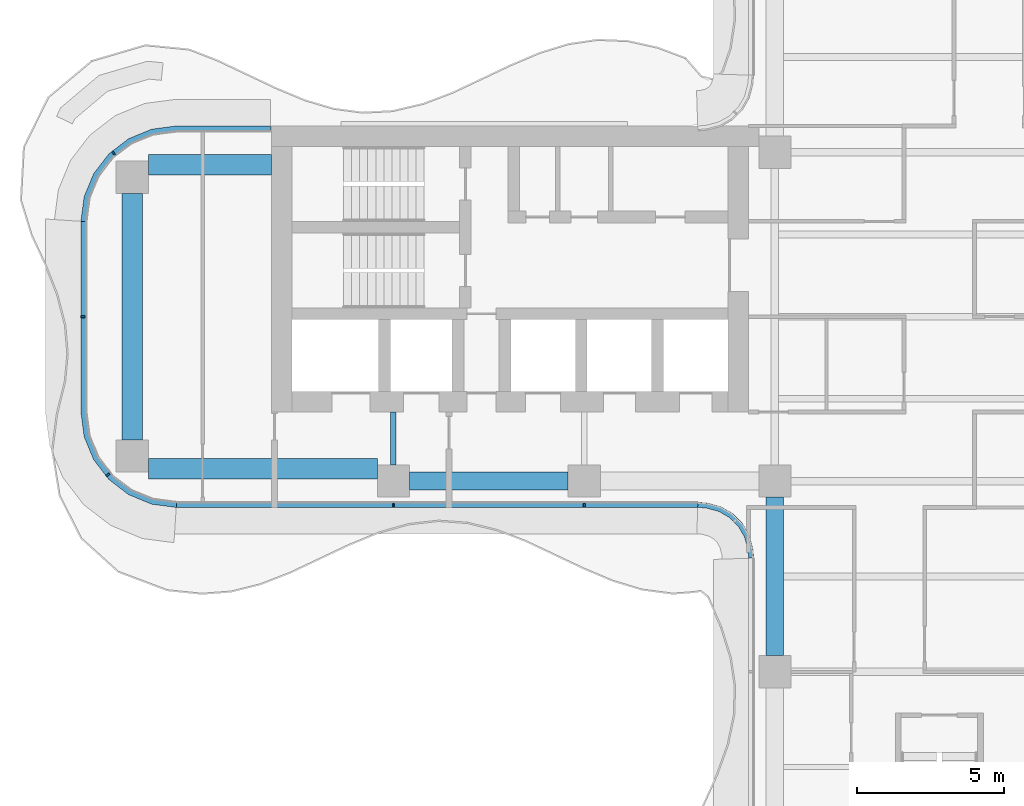
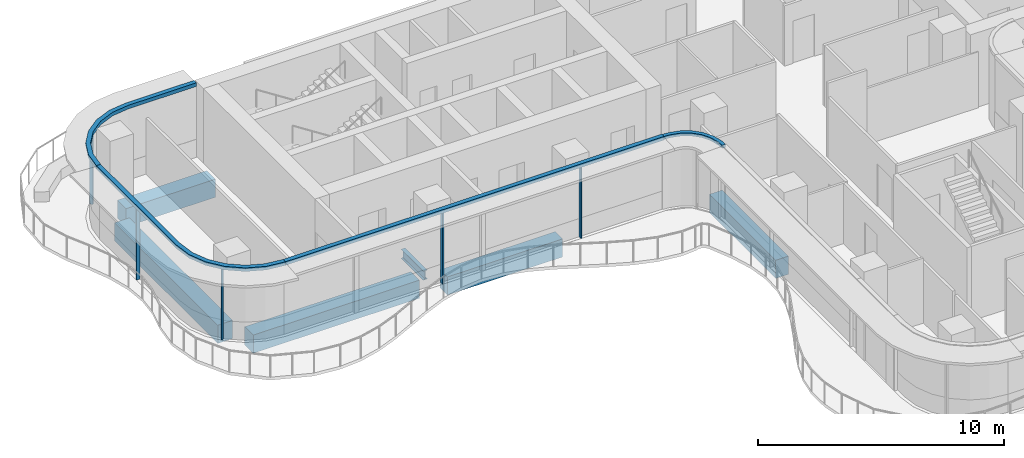
# One storey, part 3 of 17: 9 members, 6 beams, 4 elements without a shape of their own.
"""IFC4 building model written with IfcOpenShell, lengths in metres."""

import ifcopenshell
import ifcopenshell.guid

model = None  # the IFC model being written
_history = None  # IfcOwnerHistory: only IFC2X3 demands one
_inside = {}  # id of a spatial element -> (the spatial element, [elements in it])
_under = {}  # id of a project, library or spatial element -> (it, [spatial elements below it])
_declared = {}  # id of a project -> (the project, [libraries it declares])
_typed = {}  # id of a type object -> (the type object, [elements of that type])
_made_of = {}  # id of a material, layer set ... -> (it, [elements and type objects made of it])


def new_model(schema):
    """Start an empty IFC model of exactly this schema.

    Asked for "IFC4X3", IfcOpenShell would pick the latest addendum, in which some entities
    have other attributes; the version numbers below select the first issue.
    IFC2X3 requires an IfcOwnerHistory on every rooted entity: one is made here for all.
    """
    global model, _history
    if schema == "IFC4X3":
        model = ifcopenshell.file(schema_version=(4, 3, 0, 0))
    else:
        model = ifcopenshell.file(schema=schema)
    _inside.clear()
    _under.clear()
    _declared.clear()
    _typed.clear()
    _made_of.clear()
    _history = None
    if model.schema == "IFC2X3":
        org = make("IfcOrganization", Name="unknown")
        user = make(
            "IfcPersonAndOrganization",
            ThePerson=make("IfcPerson", FamilyName="unknown"),
            TheOrganization=org,
        )
        app = make(
            "IfcApplication",
            ApplicationDeveloper=org,
            Version="unknown",
            ApplicationFullName="unknown",
            ApplicationIdentifier="unknown",
        )
        _history = make(
            "IfcOwnerHistory",
            OwningUser=user,
            OwningApplication=app,
            ChangeAction="ADDED",
            CreationDate=0,
        )
    return model


def make(cls, **values):
    """One entity of the class cls with the attributes given. An attribute that is None is left unset."""
    return model.create_entity(
        cls, **{name: value for name, value in values.items() if value is not None}
    )


def rooted(cls, **values):
    """An entity with a GlobalId (a new one), such as an element, a storey or a relation."""
    return make(cls, GlobalId=ifcopenshell.guid.new(), OwnerHistory=_history, **values)


def si_unit(unit_type, name, prefix=None):
    """IfcSIUnit, for example si_unit("LENGTHUNIT", "METRE", prefix="MILLI")."""
    return make("IfcSIUnit", UnitType=unit_type, Prefix=prefix, Name=name)


def assignment(units):
    """IfcUnitAssignment: the units of a project."""
    return None if units is None else make("IfcUnitAssignment", Units=units)


def point(xyz):
    """IfcCartesianPoint."""
    return None if xyz is None else make("IfcCartesianPoint", Coordinates=xyz)


def direction(xyz):
    """IfcDirection."""
    return None if xyz is None else make("IfcDirection", DirectionRatios=xyz)


def frame(location, z_axis=None, x_axis=None):
    """IfcAxis2Placement3D, a coordinate frame: its origin and axes. An axis left out is left unset."""
    return make(
        "IfcAxis2Placement3D",
        Location=point(location),
        Axis=direction(z_axis),
        RefDirection=direction(x_axis),
    )


def frame_2d(location, x_axis=None):
    """IfcAxis2Placement2D, a coordinate frame in the plane: its origin and x axis."""
    return make(
        "IfcAxis2Placement2D", Location=point(location), RefDirection=direction(x_axis)
    )


def origin():
    """The frame at (0, 0, 0) with its axes left unset."""
    return frame((0.0, 0.0, 0.0))


def origin_2d():
    """The frame at (0, 0) in the plane with its x axis left unset."""
    return frame_2d((0.0, 0.0))


def place(relative_to, where):
    """IfcLocalPlacement: puts the frame where relative to a parent placement (None: the world)."""
    return make(
        "IfcLocalPlacement", PlacementRelTo=relative_to, RelativePlacement=where
    )


def context(
    kind, dimensions, precision=None, world=None, true_north=None, identifier=None
):
    """IfcGeometricRepresentationContext, for example the 3D "Model" context."""
    return make(
        "IfcGeometricRepresentationContext",
        ContextIdentifier=identifier,
        ContextType=kind,
        CoordinateSpaceDimension=dimensions,
        Precision=precision,
        WorldCoordinateSystem=world,
        TrueNorth=true_north,
    )


def subcontext(parent, identifier, kind, view, scale=None):
    """IfcGeometricRepresentationSubContext, for example "Body" below "Model"."""
    return make(
        "IfcGeometricRepresentationSubContext",
        ContextIdentifier=identifier,
        ContextType=kind,
        ParentContext=parent,
        TargetScale=scale,
        TargetView=view,
    )


def project(units=None, contexts=None):
    """IfcProject with its units and contexts."""
    return rooted(
        "IfcProject",
        Name="project",
        RepresentationContexts=contexts,
        UnitsInContext=assignment(units),
    )


def spatial(cls, under=None, at=None, **own):
    """A site, building, storey or space (cls), placed at a placement, below another one or the project."""
    s = rooted(cls, ObjectPlacement=at, **own)
    if under is not None:
        _under.setdefault(under.id(), (under, []))[1].append(s)
    return s


def polyline(points):
    """IfcPolyline through the points."""
    return make("IfcPolyline", Points=[point(p) for p in points])


def profile(cls, at=None, kind="AREA", **sizes):
    """A parametric profile (cls). Its sizes go by their IFC names, for example OverallWidth=200.0."""
    return make(cls, ProfileType=kind, Position=at, **sizes)


def rectangle(**sizes):
    """IfcRectangleProfileDef."""
    return profile("IfcRectangleProfileDef", **sizes)


def i_section(**sizes):
    """IfcIShapeProfileDef."""
    return profile("IfcIShapeProfileDef", **sizes)


def outline(outer, holes=None, kind="AREA"):
    """IfcArbitraryClosedProfileDef: a profile drawn as a closed curve; with holes, ...WithVoids."""
    if holes is None:
        return make("IfcArbitraryClosedProfileDef", ProfileType=kind, OuterCurve=outer)
    return make(
        "IfcArbitraryProfileDefWithVoids",
        ProfileType=kind,
        OuterCurve=outer,
        InnerCurves=holes,
    )


def extrude(swept, where, along, depth):
    """IfcExtrudedAreaSolid: the profile swept, set in the frame where, extruded along a direction by depth."""
    return make(
        "IfcExtrudedAreaSolid",
        SweptArea=swept,
        Position=where,
        ExtrudedDirection=direction(along),
        Depth=depth,
    )


def shape(context_of_items, identifier, shape_type, items):
    """IfcShapeRepresentation: the items that make up one representation, for example the "Body"."""
    return make(
        "IfcShapeRepresentation",
        ContextOfItems=context_of_items,
        RepresentationIdentifier=identifier,
        RepresentationType=shape_type,
        Items=items,
    )


def source(mapping_origin, context_of_items, identifier, shape_type, items):
    """IfcRepresentationMap: a shape defined once, which mapped items show again and again."""
    return make(
        "IfcRepresentationMap",
        MappingOrigin=mapping_origin,
        MappedRepresentation=shape(context_of_items, identifier, shape_type, items),
    )


def transform(
    local_origin,
    x_axis=None,
    y_axis=None,
    z_axis=None,
    scale=None,
    scale2=None,
    scale3=None,
    uniform=True,
):
    """IfcCartesianTransformationOperator3D, or its non-uniform kind. x_axis, y_axis, z_axis: its Axis1, 2, 3."""
    if uniform:
        return make(
            "IfcCartesianTransformationOperator3D",
            Axis1=direction(x_axis),
            Axis2=direction(y_axis),
            LocalOrigin=point(local_origin),
            Scale=scale,
            Axis3=direction(z_axis),
        )
    return make(
        "IfcCartesianTransformationOperator3DnonUniform",
        Axis1=direction(x_axis),
        Axis2=direction(y_axis),
        LocalOrigin=point(local_origin),
        Scale=scale,
        Axis3=direction(z_axis),
        Scale2=scale2,
        Scale3=scale3,
    )


def mapped(mapping_source, mapping_target):
    """IfcMappedItem: shows the shape of a source again, moved by a transform."""
    return make(
        "IfcMappedItem", MappingSource=mapping_source, MappingTarget=mapping_target
    )


def material(Name=None, Category=None):
    """IfcMaterial."""
    return make("IfcMaterial", Name=Name, Category=Category)


def layer(
    of_material, thickness, ventilated=None, Name=None, Category=None, Priority=None
):
    """IfcMaterialLayer: one layer of a wall or slab, of a material (None: an air gap)."""
    return make(
        "IfcMaterialLayer",
        Material=of_material,
        LayerThickness=thickness,
        IsVentilated=ventilated,
        Name=Name,
        Category=Category,
        Priority=Priority,
    )


def layer_set(layers, Name=None):
    """IfcMaterialLayerSet."""
    return make("IfcMaterialLayerSet", MaterialLayers=layers, LayerSetName=Name)


def material_profile(
    of_material, cross_section, Name=None, Category=None, Priority=None
):
    """IfcMaterialProfile: a cross section and its material."""
    return make(
        "IfcMaterialProfile",
        Name=Name,
        Material=of_material,
        Profile=cross_section,
        Priority=Priority,
        Category=Category,
    )


def profile_set(profiles, Name=None, composite=None):
    """IfcMaterialProfileSet."""
    return make(
        "IfcMaterialProfileSet",
        Name=Name,
        MaterialProfiles=profiles,
        CompositeProfile=composite,
    )


def made_of(thing, what):
    """Note that an element or type object is made of a material, layer set ...; save() writes the relation."""
    if what is not None:
        _made_of.setdefault(what.id(), (what, []))[1].append(thing)
    return thing


def type_object(cls, material=None, **own):
    """A type object (cls), such as IfcWallType, which elements share."""
    return made_of(rooted(cls, **own), material)


def element(
    cls,
    number,
    at=None,
    inside=None,
    cuts=None,
    type_object=None,
    material=None,
    context=None,
    identifier="Body",
    shape_type=None,
    held_by="IfcProductDefinitionShape",
    body=None,
    shapes=None,
    **own,
):
    """One element of the class cls, such as IfcWall. Its Tag is "e" and its number.

    at: its placement. inside: the storey or other place that contains it. cuts: it is an
    opening in that element (IfcRelVoidsElement). A single representation is given by context,
    identifier, shape_type and body (its items); several are given by shapes. held_by: the class
    of the entity that holds the representations. save() writes the other relations.
    """
    e = rooted(cls, Tag="e%d" % number, ObjectPlacement=at, **own)
    if body is not None:
        shapes = [shape(context, identifier, shape_type, body)]
    if shapes is not None:
        e.Representation = make(held_by, Representations=shapes)
    if inside is not None:
        _inside.setdefault(inside.id(), (inside, []))[1].append(e)
    if cuts is not None:
        rooted(
            "IfcRelVoidsElement", RelatingBuildingElement=cuts, RelatedOpeningElement=e
        )
    if type_object is not None:
        _typed.setdefault(type_object.id(), (type_object, []))[1].append(e)
    return made_of(e, material)


def aggregate(whole, parts):
    """IfcRelAggregates: a whole, such as a stair, and the parts it consists of."""
    return rooted("IfcRelAggregates", RelatingObject=whole, RelatedObjects=parts)


def save(model, path):
    """Write the relations noted so far, then the file.

    IfcRelAggregates (storeys below a building ...), IfcRelContainedInSpatialStructure (elements
    in a storey), IfcRelDefinesByType, IfcRelAssociatesMaterial and IfcRelDeclares: one each for
    every whole, place, type object, material and project.
    """
    for whole, parts in _under.values():
        aggregate(whole, parts)
    for where, things in _inside.values():
        rooted(
            "IfcRelContainedInSpatialStructure",
            RelatedElements=things,
            RelatingStructure=where,
        )
    for kind, things in _typed.values():
        rooted("IfcRelDefinesByType", RelatedObjects=things, RelatingType=kind)
    for what, things in _made_of.values():
        rooted("IfcRelAssociatesMaterial", RelatedObjects=things, RelatingMaterial=what)
    for by, libraries in _declared.values():
        rooted("IfcRelDeclares", RelatingContext=by, RelatedDefinitions=libraries)
    model.write(path)


model = new_model("IFC4")

# Units and contexts
model_context = context("Model", 3, precision=1e-05, world=origin(), true_north=direction((0.0, 1.0)))
body_context = subcontext(model_context, "Body", "Model", "MODEL_VIEW")
ifc_project = project(units=[si_unit("LENGTHUNIT", "METRE"), si_unit("AREAUNIT", "SQUARE_METRE"), si_unit("VOLUMEUNIT", "CUBIC_METRE"), si_unit("PLANEANGLEUNIT", "RADIAN"), si_unit("MASSUNIT", "GRAM", prefix="KILO")], contexts=[model_context])

# Site, building, storey
site_placement = place(None, origin())
site = spatial("IfcSite", under=ifc_project, at=site_placement, CompositionType="ELEMENT")
building_placement = place(site_placement, origin())
building = spatial("IfcBuilding", under=site, at=building_placement, Name="Trellis Farm Tower", CompositionType="ELEMENT")
storey_placement = place(building_placement, frame((0.0, 0.0, 240.199951171875)))
storey = spatial("IfcBuildingStorey", under=building, at=storey_placement, Name="L53", CompositionType="ELEMENT", Elevation=240.199951171875)

# Beams
ifc_material_1 = material(Name="Steel S355", Category="steel")
ifc_material_profile_1 = material_profile(ifc_material_1, i_section(OverallWidth=0.1904296875, OverallDepth=0.45703125, WebThickness=0.009033203125, FlangeThickness=0.014404296875, FilletRadius=0.01025390625, at=origin_2d()), Name="UB 457x191x74")
ifc_profile_set_1 = profile_set([ifc_material_profile_1], Name="Steel S355")
beam_type_1 = type_object("IfcBeamType", Name="UB 457x191x74", PredefinedType="BEAM", material=ifc_profile_set_1)
shared_shape_1 = source(origin(), body_context, "Body", "SweptSolid", [
    extrude(i_section(OverallWidth=0.1904296875, OverallDepth=0.45703125, WebThickness=0.009033203125, FlangeThickness=0.014404296875, FilletRadius=0.01025390625, at=origin_2d()), origin(), (0.0, 0.0, 1.0), 1.800048828125),
])
beam_1_placement = place(storey_placement, frame((-18.60009765625, -5.050048828125, -0.428466796875), z_axis=(0.0, 1.0, 0.0), x_axis=(-1.0, 0.0, 0.0)))
element("IfcBeam", 1, at=beam_1_placement, inside=storey, type_object=beam_type_1, Name="Girder", PredefinedType="BEAM", context=body_context, shape_type="MappedRepresentation", body=[
    mapped(shared_shape_1, transform((0.0, 0.0, 0.0))),
])
ifc_material_2 = material(Name="Concrete C60/75", Category="concrete")
ifc_material_profile_2 = material_profile(ifc_material_2, rectangle(XDim=0.60009765625, YDim=0.89990234375, at=origin_2d()), Name="RC spandrel beam 600x900 C60/75")
ifc_profile_set_2 = profile_set([ifc_material_profile_2], Name="Concrete C60/75")
beam_type_2 = type_object("IfcBeamType", Name="RC spandrel beam 600x900 C60/75", PredefinedType="SPANDREL", material=ifc_profile_set_2)
shared_shape_2 = source(origin(), body_context, "Body", "SweptSolid", [
    extrude(rectangle(XDim=0.60009765625, YDim=0.89990234375, at=origin_2d()), origin(), (0.0, 0.0, 1.0), 5.400146484375),
])
for number, where, z_axis, x_axis, name in (
    (2, (-18.050048828125, -5.60009765625, -0.64990234375), (1.0, 0.0, 0.0), (0.0, 1.0, 0.0), "Girder"),
    (3, (-5.60009765625, -11.550048828125, -0.64990234375), (0.0, 1.0, 0.0), (-1.0, 0.0, 0.0), "Girder"),
):
    element("IfcBeam", number, at=place(storey_placement, frame(where, z_axis=z_axis, x_axis=x_axis)), inside=storey, type_object=beam_type_2, Name=name, PredefinedType="SPANDREL", context=body_context, shape_type="MappedRepresentation", body=[
        mapped(shared_shape_2, transform((0.0, 0.0, 0.0))),
    ])
ifc_material_profile_3 = material_profile(ifc_material_2, rectangle(XDim=0.699951171875, YDim=0.89990234375, at=origin_2d()), Name="RC spandrel beam 700x900 C60/75")
ifc_profile_set_3 = profile_set([ifc_material_profile_3], Name="Concrete C60/75")
beam_type_3 = type_object("IfcBeamType", Name="RC spandrel beam 700x900 C60/75", PredefinedType="SPANDREL", material=ifc_profile_set_3)
shared_shape_3 = source(origin(), body_context, "Body", "SweptSolid", [
    extrude(rectangle(XDim=0.699951171875, YDim=0.89990234375, at=origin_2d()), origin(), (0.0, 0.0, 1.0), 8.39990234375),
])
beam_2_placement = place(storey_placement, frame((-27.5, -4.199951171875, -0.64990234375), z_axis=(0.0, 1.0, 0.0), x_axis=(-1.0, 0.0, 0.0)))
element("IfcBeam", 4, at=beam_2_placement, inside=storey, type_object=beam_type_3, Name="Girder", PredefinedType="SPANDREL", context=body_context, shape_type="MappedRepresentation", body=[
    mapped(shared_shape_3, transform((0.0, 0.0, 0.0))),
])
shared_shape_4 = source(origin(), body_context, "Body", "SweptSolid", [
    extrude(rectangle(XDim=0.699951171875, YDim=0.89990234375, at=origin_2d()), origin(), (0.0, 0.0, 1.0), 7.800048828125),
])
beam_3_placement = place(storey_placement, frame((-26.949951171875, -5.175048828125, -0.64990234375), z_axis=(1.0, 0.0, 0.0), x_axis=(0.0, 1.0, 0.0)))
element("IfcBeam", 5, at=beam_3_placement, inside=storey, type_object=beam_type_3, Name="Girder", PredefinedType="SPANDREL", context=body_context, shape_type="MappedRepresentation", body=[
    mapped(shared_shape_4, transform((0.0, 0.0, 0.0))),
])
shared_shape_5 = source(origin(), body_context, "Body", "SweptSolid", [
    extrude(rectangle(XDim=0.699951171875, YDim=0.89990234375, at=origin_2d()), origin(), (0.0, 0.0, 1.0), 4.199951171875),
])
beam_4_placement = place(storey_placement, frame((-26.949951171875, 5.175048828125, -0.64990234375), z_axis=(1.0, 0.0, 0.0), x_axis=(0.0, 1.0, 0.0)))
element("IfcBeam", 6, at=beam_4_placement, inside=storey, type_object=beam_type_3, Name="Girder", PredefinedType="SPANDREL", context=body_context, shape_type="MappedRepresentation", body=[
    mapped(shared_shape_5, transform((0.0, 0.0, 0.0))),
])

# Curtain wall, member
ifc_material_3 = material(Name="Aluminium and glass curtain wall", Category="aluminium")
ifc_layer_1 = layer(ifc_material_3, 0.166015625)
ifc_layer_set_1 = layer_set([ifc_layer_1], Name="WINTER GARDEN CURTAIN WALL CW3")
curtain_wall_type_1 = type_object("IfcCurtainWallType", Name="WINTER GARDEN CURTAIN WALL CW3", PredefinedType="NOTDEFINED", material=ifc_layer_set_1)
placement_1 = place(storey_placement, origin())
curtain_wall_1 = element("IfcCurtainWall", 7, at=placement_1, inside=storey, type_object=curtain_wall_type_1, Name="CW3 001", PredefinedType="NOTDEFINED")
ifc_material_4 = material(Name="Aluminium extrusion 6063-T6", Category="aluminium")
ifc_layer_2 = layer(ifc_material_4, 0.169921875)
ifc_layer_set_2 = layer_set([ifc_layer_2], Name="Aluminium extrusion 6063-T6")
member_type_1 = type_object("IfcMemberType", Name="CW3 TRANSOM 170x150", PredefinedType="USERDEFINED", material=ifc_layer_set_2)
shared_shape_6 = source(origin(), body_context, "Body", "SweptSolid", [
    extrude(outline(polyline([(-8.2314453125, -6.5), (-8.01953125, -6.513916015625), (-7.91552734375, -6.527587890625), (-7.508544921875, -6.63671875), (-7.144287109375, -6.846923828125), (-6.846923828125, -7.144287109375), (-6.63671875, -7.508544921875), (-6.527587890625, -7.91552734375), (-6.513916015625, -8.01953125), (-6.5, -8.2314453125), (-6.330078125, -8.225830078125), (-6.3447265625, -8.0029296875), (-6.360595703125, -7.88232421875), (-6.478271484375, -7.44287109375), (-6.7109375, -7.0400390625), (-7.0400390625, -6.7109375), (-7.44287109375, -6.478271484375), (-7.88232421875, -6.360595703125), (-8.0029296875, -6.3447265625), (-8.225830078125, -6.330078125), (-8.2314453125, -6.5)])), origin(), (0.0, 0.0, 1.0), 0.14990234375),
])
member_1_placement = place(storey_placement, frame((0.0, 0.0, 3.550048828125)))
member_1 = element("IfcMember", 8, at=member_1_placement, type_object=member_type_1, Name="TR3 001", ObjectType="TRANSOM", PredefinedType="USERDEFINED", context=body_context, shape_type="MappedRepresentation", body=[
    mapped(shared_shape_6, transform((0.0, 0.0, 0.0))),
])
aggregate(curtain_wall_1, [member_1])

# Curtain wall, members
ifc_layer_3 = layer(ifc_material_3, 0.18994140625)
ifc_layer_set_3 = layer_set([ifc_layer_3], Name="RIBBON CURTAIN WALL CW1")
curtain_wall_type_2 = type_object("IfcCurtainWallType", Name="RIBBON CURTAIN WALL CW1", PredefinedType="NOTDEFINED", material=ifc_layer_set_3)
curtain_wall_2 = element("IfcCurtainWall", 9, at=placement_1, inside=storey, type_object=curtain_wall_type_2, Name="CW1 001", PredefinedType="NOTDEFINED")
ifc_material_profile_4 = material_profile(ifc_material_4, rectangle(XDim=0.06005859375, YDim=0.14990234375, at=origin_2d()), Name="MULLION 60x150")
ifc_profile_set_4 = profile_set([ifc_material_profile_4], Name="Aluminium extrusion 6063-T6")
member_type_2 = type_object("IfcMemberType", Name="CW1 MULLION 60x150", PredefinedType="MULLION", material=ifc_profile_set_4)
shared_shape_7 = source(origin(), body_context, "Body", "SweptSolid", [
    extrude(rectangle(XDim=0.06005859375, YDim=0.14990234375, at=origin_2d()), origin(), (0.0, 0.0, 1.0), 3.52001953125),
])
member_2_placement = place(storey_placement, frame((-18.60009765625, -6.425048828125, 0.0), z_axis=(0.0, 0.0, 1.0), x_axis=(1.0, 0.0, 0.0)))
member_2 = element("IfcMember", 10, at=member_2_placement, type_object=member_type_2, Name="MU1 001-01", PredefinedType="MULLION", context=body_context, shape_type="MappedRepresentation", body=[
    mapped(shared_shape_7, transform((0.0, 0.0, 0.0))),
])
member_3_placement = place(storey_placement, frame((-12.10009765625, -6.425048828125, 0.0), z_axis=(0.0, 0.0, 1.0), x_axis=(1.0, 0.0, 0.0)))
member_3 = element("IfcMember", 11, at=member_3_placement, type_object=member_type_2, Name="MU1 001-02", PredefinedType="MULLION", context=body_context, shape_type="MappedRepresentation", body=[
    mapped(shared_shape_7, transform((0.0, 0.0, 0.0))),
])

# Curtain wall, member
curtain_wall_3 = element("IfcCurtainWall", 12, at=placement_1, inside=storey, type_object=curtain_wall_type_2, Name="CW1 012", PredefinedType="NOTDEFINED")
member_4_placement = place(storey_placement, frame((-28.135498046875, 5.578369140625, 0.0), z_axis=(0.0, 0.0, 1.0), x_axis=(-0.793353340291, -0.608761429009, 0.0)))
member_4 = element("IfcMember", 13, at=member_4_placement, type_object=member_type_2, Name="MU1 012-01", PredefinedType="MULLION", context=body_context, shape_type="MappedRepresentation", body=[
    mapped(shared_shape_7, transform((0.0, 0.0, 0.0))),
])

# Curtain wall, members
curtain_wall_4 = element("IfcCurtainWall", 14, at=placement_1, inside=storey, type_object=curtain_wall_type_2, Name="CW1 013", PredefinedType="NOTDEFINED")
member_5_placement = place(storey_placement, frame((-29.175048828125, 0.0, 0.0), z_axis=(0.0, 0.0, 1.0), x_axis=(0.0, -1.0, 0.0)))
member_5 = element("IfcMember", 15, at=member_5_placement, type_object=member_type_2, Name="MU1 013-01", PredefinedType="MULLION", context=body_context, shape_type="MappedRepresentation", body=[
    mapped(shared_shape_7, transform((0.0, 0.0, 0.0))),
])
member_6_placement = place(storey_placement, frame((-28.328369140625, -5.385498046875, 0.0), z_axis=(0.0, 0.0, 1.0), x_axis=(0.608761429009, -0.793353340291, 0.0)))
member_6 = element("IfcMember", 16, at=member_6_placement, type_object=member_type_2, Name="MU1 013-02", PredefinedType="MULLION", context=body_context, shape_type="MappedRepresentation", body=[
    mapped(shared_shape_7, transform((0.0, 0.0, 0.0))),
])

# Member
ifc_layer_4 = layer(ifc_material_4, 0.199951171875)
ifc_layer_set_4 = layer_set([ifc_layer_4], Name="Aluminium extrusion 6063-T6")
member_type_3 = type_object("IfcMemberType", Name="CW1 TRANSOM 200x180", PredefinedType="USERDEFINED", material=ifc_layer_set_4)
shared_shape_8 = source(origin(), body_context, "Body", "SweptSolid", [
    extrude(outline(polyline([(-26.0, -6.5), (-8.2314453125, -6.5), (-8.224853515625, -6.300048828125), (-25.98681640625, -6.300048828125), (-26.0, -6.5)])), origin(), (0.0, 0.0, 1.0), 0.179931640625),
])
placement_2 = place(storey_placement, frame((0.0, 0.0, 3.52001953125)))
member_7 = element("IfcMember", 17, at=placement_2, type_object=member_type_3, Name="TR1 001", ObjectType="TRANSOM", PredefinedType="USERDEFINED", context=body_context, shape_type="MappedRepresentation", body=[
    mapped(shared_shape_8, transform((0.0, 0.0, 0.0))),
])

aggregate(curtain_wall_2, [member_2, member_3, member_7])

shared_shape_9 = source(origin(), body_context, "Body", "SweptSolid", [
    extrude(outline(polyline([(-22.780029296875, 6.5), (-26.0, 6.5), (-26.841064453125, 6.38916015625), (-27.625, 6.064697265625), (-28.298095703125, 5.548095703125), (-28.814697265625, 4.875), (-29.13916015625, 4.091064453125), (-29.25, 3.25), (-29.050048828125, 3.23681640625), (-28.9443359375, 4.0390625), (-28.639892578125, 4.774169921875), (-28.155517578125, 5.405517578125), (-27.524169921875, 5.889892578125), (-26.7890625, 6.1943359375), (-25.98681640625, 6.300048828125), (-22.780029296875, 6.300048828125), (-22.780029296875, 6.5)])), origin(), (0.0, 0.0, 1.0), 0.179931640625),
])
member_8 = element("IfcMember", 18, at=placement_2, type_object=member_type_3, Name="TR1 012", ObjectType="TRANSOM", PredefinedType="USERDEFINED", context=body_context, shape_type="MappedRepresentation", body=[
    mapped(shared_shape_9, transform((0.0, 0.0, 0.0))),
])

aggregate(curtain_wall_3, [member_4, member_8])

shared_shape_10 = source(origin(), body_context, "Body", "SweptSolid", [
    extrude(outline(polyline([(-29.25, 3.25), (-29.25, -3.25), (-29.13916015625, -4.091064453125), (-28.814697265625, -4.875), (-28.298095703125, -5.548095703125), (-27.625, -6.064697265625), (-26.841064453125, -6.38916015625), (-26.0, -6.5), (-25.98681640625, -6.300048828125), (-26.7890625, -6.1943359375), (-27.524169921875, -5.889892578125), (-28.155517578125, -5.405517578125), (-28.639892578125, -4.774169921875), (-28.9443359375, -4.0390625), (-29.050048828125, -3.23681640625), (-29.050048828125, 3.23681640625), (-29.25, 3.25)])), origin(), (0.0, 0.0, 1.0), 0.179931640625),
])
member_9 = element("IfcMember", 19, at=placement_2, type_object=member_type_3, Name="TR1 013", ObjectType="TRANSOM", PredefinedType="USERDEFINED", context=body_context, shape_type="MappedRepresentation", body=[
    mapped(shared_shape_10, transform((0.0, 0.0, 0.0))),
])

aggregate(curtain_wall_4, [member_5, member_6, member_9])

save(model, "model.ifc")
